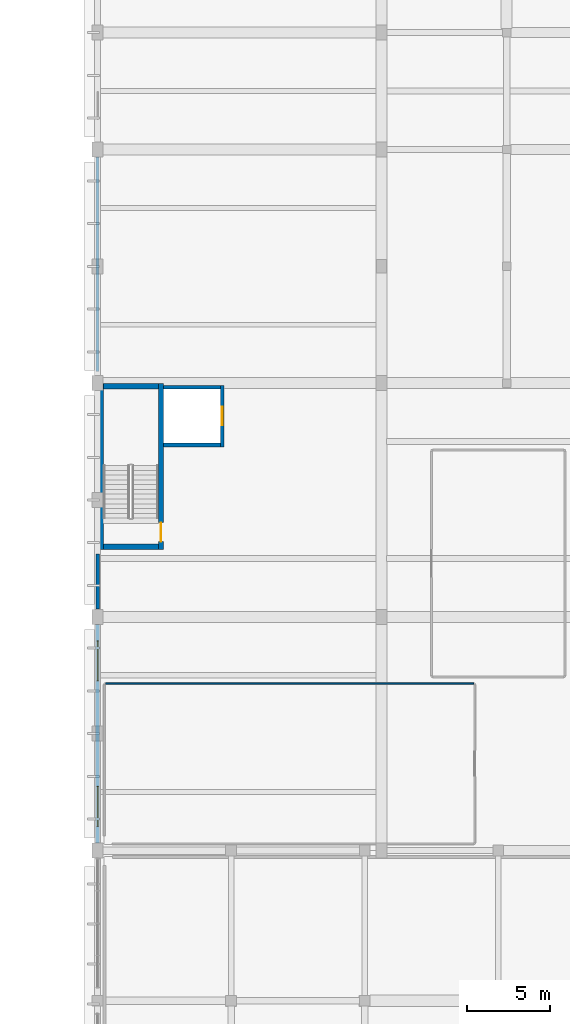
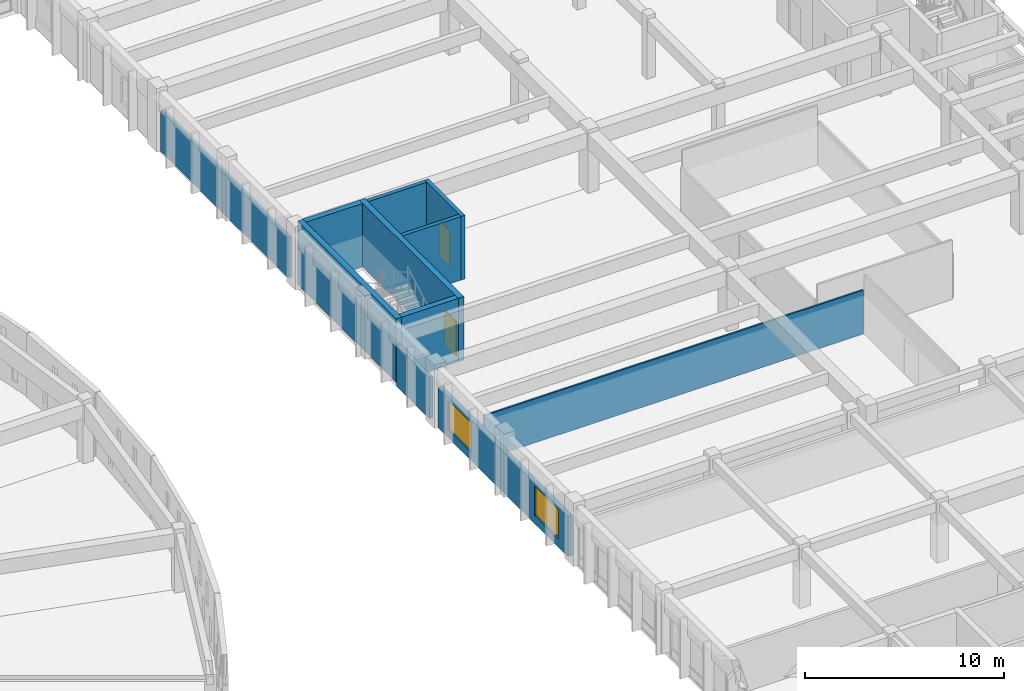
# One storey, part 62 of 98: 11 walls, 2 doors, 2 windows, 4 openings.
"""IFC4 building model written with IfcOpenShell, lengths in metres."""

from ifc_helpers import new_model, si_unit, direction, frame, frame_2d, origin, place, context, subcontext, project, spatial, rectangle, extrude, material, layer, layer_set, type_object, element, fill, save


model = new_model("IFC4")

# Units and contexts
model_context = context("Model", 3, precision=1e-05, world=origin(), true_north=direction((0.0, 1.0)))
body_context = subcontext(model_context, "Body", "Model", "MODEL_VIEW")
ifc_project = project(units=[si_unit("LENGTHUNIT", "METRE"), si_unit("AREAUNIT", "SQUARE_METRE"), si_unit("VOLUMEUNIT", "CUBIC_METRE"), si_unit("PLANEANGLEUNIT", "RADIAN"), si_unit("MASSUNIT", "GRAM", prefix="KILO")], contexts=[model_context])

# Site, building, storey
site_placement = place(None, origin())
site = spatial("IfcSite", under=ifc_project, at=site_placement, CompositionType="ELEMENT")
building_placement = place(site_placement, origin())
building = spatial("IfcBuilding", under=site, at=building_placement, Name="Larkveld Mobility Hub", CompositionType="ELEMENT")
storey_placement = place(building_placement, frame((0.0, 0.0, 4.5)))
storey = spatial("IfcBuildingStorey", under=building, at=storey_placement, Name="L01", CompositionType="ELEMENT", Elevation=4.5)

# Walls
ifc_material_1 = material(Name="Glazed architectural ceramic masonry 20 MPa", Category="masonry")
ifc_layer_1 = layer(ifc_material_1, 0.179931640625, Name="Glazed architectural ceramic masonry 20 MPa", Category="masonry")
ifc_layer_set_1 = layer_set([ifc_layer_1], Name="Glazed architectural ceramic masonry 20 MPa")
wall_type_1 = type_object("IfcWallType", Name="WL-COB-180", PredefinedType="USERDEFINED", material=ifc_layer_set_1)
wall_1_placement = place(storey_placement, frame((112.0, 69.5400390625, 0.0), z_axis=(0.0, 0.0, 1.0), x_axis=(0.0, -1.0, 0.0)))
element("IfcWall", 1, at=wall_1_placement, inside=storey, type_object=wall_type_1, Name="EV Wing West Ventilated Facade L01-0225", ObjectType="CERAMIC COBOGO SCREEN", PredefinedType="USERDEFINED", context=body_context, shape_type="SweptSolid", body=[
    extrude(rectangle(XDim=12.85009765625, YDim=0.179931640625, at=frame_2d((6.425048828125, 0.0))), origin(), (0.0, 0.0, 1.0), 2.4951171875),
])
ifc_layer_2 = layer(ifc_material_1, 0.2099609375, Name="Glazed architectural ceramic masonry 20 MPa", Category="masonry")
ifc_layer_set_2 = layer_set([ifc_layer_2], Name="Glazed architectural ceramic masonry 20 MPa")
wall_type_2 = type_object("IfcWallType", Name="WL-COB-210", PredefinedType="USERDEFINED", material=ifc_layer_set_2)
wall_2_placement = place(storey_placement, frame((112.0, 45.77001953125, 0.0), z_axis=(0.0, 0.0, 1.0), x_axis=(0.0, -1.0, 0.0)))
element("IfcWall", 2, at=wall_2_placement, inside=storey, type_object=wall_type_2, Name="EV Wing West Ventilated Facade L01-0224", ObjectType="CERAMIC COBOGO SCREEN", PredefinedType="USERDEFINED", context=body_context, shape_type="SweptSolid", body=[
    extrude(rectangle(XDim=3.31005859375, YDim=0.2099609375, at=frame_2d((1.655029296875, 0.0))), origin(), (0.0, 0.0, 1.0), 2.4951171875),
])

# Wall, openings, windows
ifc_layer_3 = layer(ifc_material_1, 0.2451171875, Name="Glazed architectural ceramic masonry 20 MPa", Category="masonry")
ifc_layer_set_3 = layer_set([ifc_layer_3], Name="Glazed architectural ceramic masonry 20 MPa")
wall_type_3 = type_object("IfcWallType", Name="WL-COB-245", PredefinedType="USERDEFINED", material=ifc_layer_set_3)
wall_3_placement = place(storey_placement, frame((112.0, 41.5400390625, 0.0), z_axis=(0.0, 0.0, 1.0), x_axis=(0.0, -1.0, 0.0)))
wall_3 = element("IfcWall", 3, at=wall_3_placement, inside=storey, type_object=wall_type_3, Name="EV Wing West Ventilated Facade L01-0223", ObjectType="CERAMIC COBOGO SCREEN", PredefinedType="USERDEFINED", context=body_context, shape_type="SweptSolid", body=[
    extrude(rectangle(XDim=13.080078125, YDim=0.2451171875, at=frame_2d((6.5400390625, 0.0))), origin(), (0.0, 0.0, 1.0), 2.4951171875),
])
opening_1_placement = place(wall_3_placement, frame((0.97998046875, 0.0, 0.4951171875)))
opening_1 = element("IfcOpeningElement", 4, at=opening_1_placement, cuts=wall_3, Name="Opening W14", PredefinedType="OPENING", context=body_context, shape_type="SweptSolid", body=[
    extrude(rectangle(XDim=2.39990234375, YDim=1.800048828125, at=frame_2d((1.199951171875, 0.89990234375))), frame((0.0, 0.132568359375, 0.0), z_axis=(0.0, -1.0, 0.0), x_axis=(1.0, 0.0, 0.0)), (0.0, 0.0, 1.0), 0.26513671875),
])
opening_2_placement = place(wall_3_placement, frame((9.699951171875, 0.0, 0.4951171875)))
opening_2 = element("IfcOpeningElement", 5, at=opening_2_placement, cuts=wall_3, Name="Opening W14", PredefinedType="OPENING", context=body_context, shape_type="SweptSolid", body=[
    extrude(rectangle(XDim=2.39990234375, YDim=1.800048828125, at=frame_2d((1.199951171875, 0.89990234375))), frame((0.0, 0.132568359375, 0.0), z_axis=(0.0, -1.0, 0.0), x_axis=(1.0, 0.0, 0.0)), (0.0, 0.0, 1.0), 0.26513671875),
])
ifc_material_2 = material(Name="Low-E double glazing in aluminium frame", Category="aluminium")
window_type = type_object("IfcWindowType", Name="WN-ALU-14", PartitioningType="SINGLE_PANEL", PredefinedType="WINDOW", material=ifc_material_2)
window_1_placement = place(opening_1_placement, origin())
window_1 = element("IfcWindow", 6, at=window_1_placement, inside=storey, type_object=window_type, Name="Window W14 (1033)", OverallHeight=1.800048828125, OverallWidth=2.39990234375, PartitioningType="SINGLE_PANEL", PredefinedType="WINDOW", context=body_context, shape_type="SweptSolid", body=[
    extrude(rectangle(XDim=2.39990234375, YDim=1.800048828125, at=frame_2d((1.199951171875, 0.89990234375))), frame((0.0, 0.030029296875, 0.0), z_axis=(0.0, -1.0, 0.0), x_axis=(1.0, 0.0, 0.0)), (0.0, 0.0, 1.0), 0.06005859375),
])
fill(opening_1, window_1)
window_2_placement = place(opening_2_placement, origin())
window_2 = element("IfcWindow", 7, at=window_2_placement, inside=storey, type_object=window_type, Name="Window W14 (1034)", OverallHeight=1.800048828125, OverallWidth=2.39990234375, PartitioningType="SINGLE_PANEL", PredefinedType="WINDOW", context=body_context, shape_type="SweptSolid", body=[
    extrude(rectangle(XDim=2.39990234375, YDim=1.800048828125, at=frame_2d((1.199951171875, 0.89990234375))), frame((0.0, 0.030029296875, 0.0), z_axis=(0.0, -1.0, 0.0), x_axis=(1.0, 0.0, 0.0)), (0.0, 0.0, 1.0), 0.06005859375),
])
fill(opening_2, window_2)

# Wall
ifc_material_3 = material(Name="Concrete blockwork masonry 14 MPa", Category="masonry")
ifc_layer_4 = layer(ifc_material_3, 0.10009765625, Name="Concrete blockwork masonry 14 MPa", Category="masonry")
ifc_layer_set_4 = layer_set([ifc_layer_4], Name="Concrete blockwork masonry 14 MPa")
wall_type_4 = type_object("IfcWallType", Name="WL-PRT-100", PredefinedType="PARTITIONING", material=ifc_layer_set_4)
wall_4_placement = place(storey_placement, frame((112.47998046875, 38.0, 0.0), z_axis=(0.0, 0.0, 1.0), x_axis=(1.0, 0.0, 0.0)))
element("IfcWall", 8, at=wall_4_placement, inside=storey, type_object=wall_type_4, Name="Intermodal Passenger Waiting Concourse Partition 0076", PredefinedType="PARTITIONING", context=body_context, shape_type="SweptSolid", body=[
    extrude(rectangle(XDim=22.0400390625, YDim=0.10009765625, at=frame_2d((11.02001953125, 0.0))), origin(), (0.0, 0.0, 1.0), 2.695068359375),
])

# Wall, opening, door
ifc_material_4 = material(Name="Concrete C40/50", Category="concrete")
ifc_layer_5 = layer(ifc_material_4, 0.219970703125, Name="Concrete C40/50", Category="concrete")
ifc_layer_set_5 = layer_set([ifc_layer_5], Name="Concrete C40/50")
wall_type_5 = type_object("IfcWallType", Name="WL-SHF-220", PredefinedType="SHEAR", material=ifc_layer_set_5)
wall_5_placement = place(storey_placement, frame((119.469970703125, 55.8701171875, 0.0), z_axis=(0.0, 0.0, 1.0), x_axis=(0.0, -1.0, 0.0)))
wall_5 = element("IfcWall", 9, at=wall_5_placement, inside=storey, type_object=wall_type_5, Name="Lift PL2 Shaft Wall L01-E", PredefinedType="SHEAR", context=body_context, shape_type="SweptSolid", body=[
    extrude(rectangle(XDim=3.690185546875, YDim=0.219970703125, at=frame_2d((1.84521484375, 0.0))), origin(), (0.0, 0.0, 1.0), 3.89990234375),
])
opening_3_placement = place(wall_5_placement, frame((1.294921875, 0.0, 0.0)))
opening_3 = element("IfcOpeningElement", 10, at=opening_3_placement, cuts=wall_5, Name="Opening LD01", PredefinedType="OPENING", context=body_context, shape_type="SweptSolid", body=[
    extrude(rectangle(XDim=1.10009765625, YDim=2.199951171875, at=frame_2d((0.550048828125, 1.10009765625))), frame((0.0, 0.1201171875, 0.0), z_axis=(0.0, -1.0, 0.0), x_axis=(1.0, 0.0, 0.0)), (0.0, 0.0, 1.0), 0.239990234375),
])
ifc_material_5 = material(Name="Brushed stainless Steel S355JR sliding landing door", Category="steel")
door_type_1 = type_object("IfcDoorType", Name="DR-LD-110", OperationType="DOUBLE_DOOR_SLIDING", PredefinedType="DOOR", material=ifc_material_5)
door_1_placement = place(opening_3_placement, origin())
door_1 = element("IfcDoor", 11, at=door_1_placement, inside=storey, type_object=door_type_1, Name="Lift landing door PL2-L01", OperationType="DOUBLE_DOOR_SLIDING", OverallHeight=2.199951171875, OverallWidth=1.10009765625, PredefinedType="DOOR", context=body_context, shape_type="SweptSolid", body=[
    extrude(rectangle(XDim=1.10009765625, YDim=2.199951171875, at=frame_2d((0.550048828125, 1.10009765625))), frame((0.0, 0.02490234375, 0.0), z_axis=(0.0, -1.0, 0.0), x_axis=(1.0, 0.0, 0.0)), (0.0, 0.0, 1.0), 0.050048828125),
])
fill(opening_3, door_1)

# Walls
for number, where, z_axis, x_axis, name in (
    (12, (119.360107421875, 52.2900390625, 0.0), (0.0, 0.0, 1.0), (-1.0, 0.0, 0.0), "Lift PL2 Shaft Wall L01-S"),
    (13, (115.9599609375, 55.760009765625, 0.0), (0.0, 0.0, 1.0), (1.0, 0.0, 0.0), "Lift PL2 Shaft Wall L01-N"),
):
    element("IfcWall", number, at=place(storey_placement, frame(where, z_axis=z_axis, x_axis=x_axis)), inside=storey, type_object=wall_type_5, Name=name, PredefinedType="SHEAR", context=body_context, shape_type="SweptSolid", body=[
        extrude(rectangle(XDim=3.400146484375, YDim=0.219970703125, at=frame_2d((1.7001953125, 0.0))), origin(), (0.0, 0.0, 1.0), 3.89990234375),
    ])
ifc_layer_6 = layer(ifc_material_4, 0.320068359375, Name="Concrete C40/50", Category="concrete")
ifc_layer_set_6 = layer_set([ifc_layer_6], Name="Concrete C40/50")
wall_type_6 = type_object("IfcWallType", Name="WL-SHR-03", PredefinedType="SHEAR", material=ifc_layer_set_6)
wall_6_placement = place(storey_placement, frame((112.18994140625, 46.030029296875, 0.0), z_axis=(0.0, 0.0, 1.0), x_axis=(0.0, 1.0, 0.0)))
element("IfcWall", 14, at=wall_6_placement, inside=storey, type_object=wall_type_6, Name="Core C3 Stair Shear Wall L01-W", PredefinedType="SHEAR", context=body_context, shape_type="SweptSolid", body=[
    extrude(rectangle(XDim=9.93994140625, YDim=0.320068359375, at=frame_2d((4.969970703125, 0.0))), origin(), (0.0, 0.0, 1.0), 3.89990234375),
])

# Wall, opening, door
wall_7_placement = place(storey_placement, frame((115.800048828125, 55.969970703125, 0.0), z_axis=(0.0, 0.0, 1.0), x_axis=(0.0, -1.0, 0.0)))
wall_7 = element("IfcWall", 15, at=wall_7_placement, inside=storey, type_object=wall_type_6, Name="Core C3 Stair Shear Wall L01-E", PredefinedType="SHEAR", context=body_context, shape_type="SweptSolid", body=[
    extrude(rectangle(XDim=9.93994140625, YDim=0.320068359375, at=frame_2d((4.969970703125, 0.0))), origin(), (0.0, 0.0, 1.0), 3.89990234375),
])
opening_4_placement = place(wall_7_placement, frame((8.320068359375, 0.0, 0.0)))
opening_4 = element("IfcOpeningElement", 16, at=opening_4_placement, cuts=wall_7, Name="Opening DF01", PredefinedType="OPENING", context=body_context, shape_type="SweptSolid", body=[
    extrude(rectangle(XDim=1.14990234375, YDim=2.14990234375, at=frame_2d((0.574951171875, 1.074951171875))), frame((0.0, 0.169921875, 0.0), z_axis=(0.0, -1.0, 0.0), x_axis=(1.0, 0.0, 0.0)), (0.0, 0.0, 1.0), 0.340087890625),
])
ifc_material_6 = material(Name="Pressed Steel S355JR fire door assembly", Category="steel")
door_type_2 = type_object("IfcDoorType", Name="DR-FD120", OperationType="NOTDEFINED", PredefinedType="DOOR", material=ifc_material_6)
door_2_placement = place(opening_4_placement, origin())
door_2 = element("IfcDoor", 17, at=door_2_placement, inside=storey, type_object=door_type_2, Name="Stair ST3 Fire Door L01", OperationType="SINGLE_SWING_LEFT", OverallHeight=2.14990234375, OverallWidth=1.14990234375, PredefinedType="DOOR", context=body_context, shape_type="SweptSolid", body=[
    extrude(rectangle(XDim=1.14990234375, YDim=2.14990234375, at=frame_2d((0.574951171875, 1.074951171875))), frame((0.0, 0.02490234375, 0.0), z_axis=(0.0, -1.0, 0.0), x_axis=(1.0, 0.0, 0.0)), (0.0, 0.0, 1.0), 0.050048828125),
])
fill(opening_4, door_2)

# Walls
for number, where, z_axis, x_axis, name in (
    (18, (115.639892578125, 46.18994140625, 0.0), (0.0, 0.0, 1.0), (-1.0, 0.0, 0.0), "Core C3 Stair Shear Wall L01-S"),
    (19, (112.35009765625, 55.81005859375, 0.0), (0.0, 0.0, 1.0), (1.0, 0.0, 0.0), "Core C3 Stair Shear Wall L01-N"),
):
    element("IfcWall", number, at=place(storey_placement, frame(where, z_axis=z_axis, x_axis=x_axis)), inside=storey, type_object=wall_type_6, Name=name, PredefinedType="SHEAR", context=body_context, shape_type="SweptSolid", body=[
        extrude(rectangle(XDim=3.289794921875, YDim=0.320068359375, at=frame_2d((1.64501953125, 0.0))), origin(), (0.0, 0.0, 1.0), 3.89990234375),
    ])

save(model, "model.ifc")
